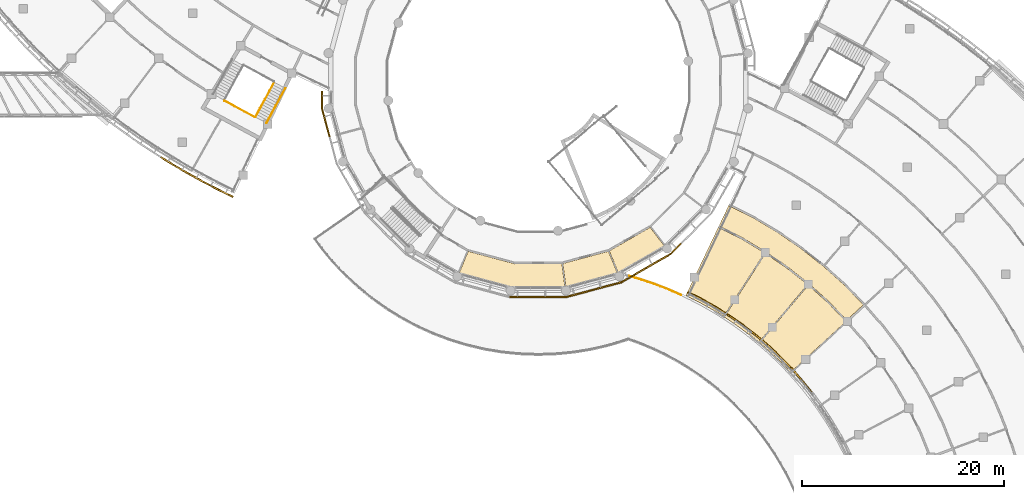
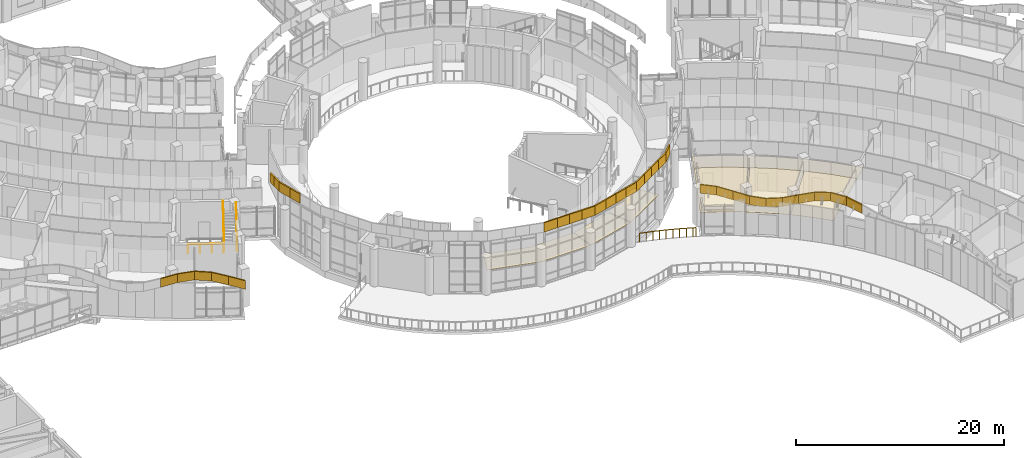
# One storey, part 115 of 136: 39 coverings, 4 railings.
"""IFC4 building model written with IfcOpenShell, lengths in metres."""

import ifcopenshell
import ifcopenshell.guid

model = None  # the IFC model being written
_history = None  # IfcOwnerHistory: only IFC2X3 demands one
_inside = {}  # id of a spatial element -> (the spatial element, [elements in it])
_under = {}  # id of a project, library or spatial element -> (it, [spatial elements below it])
_declared = {}  # id of a project -> (the project, [libraries it declares])
_typed = {}  # id of a type object -> (the type object, [elements of that type])
_made_of = {}  # id of a material, layer set ... -> (it, [elements and type objects made of it])


def new_model(schema):
    """Start an empty IFC model of exactly this schema.

    Asked for "IFC4X3", IfcOpenShell would pick the latest addendum, in which some entities
    have other attributes; the version numbers below select the first issue.
    IFC2X3 requires an IfcOwnerHistory on every rooted entity: one is made here for all.
    """
    global model, _history
    if schema == "IFC4X3":
        model = ifcopenshell.file(schema_version=(4, 3, 0, 0))
    else:
        model = ifcopenshell.file(schema=schema)
    _inside.clear()
    _under.clear()
    _declared.clear()
    _typed.clear()
    _made_of.clear()
    _history = None
    if model.schema == "IFC2X3":
        org = make("IfcOrganization", Name="unknown")
        user = make(
            "IfcPersonAndOrganization",
            ThePerson=make("IfcPerson", FamilyName="unknown"),
            TheOrganization=org,
        )
        app = make(
            "IfcApplication",
            ApplicationDeveloper=org,
            Version="unknown",
            ApplicationFullName="unknown",
            ApplicationIdentifier="unknown",
        )
        _history = make(
            "IfcOwnerHistory",
            OwningUser=user,
            OwningApplication=app,
            ChangeAction="ADDED",
            CreationDate=0,
        )
    return model


def make(cls, **values):
    """One entity of the class cls with the attributes given. An attribute that is None is left unset."""
    return model.create_entity(
        cls, **{name: value for name, value in values.items() if value is not None}
    )


def rooted(cls, **values):
    """An entity with a GlobalId (a new one), such as an element, a storey or a relation."""
    return make(cls, GlobalId=ifcopenshell.guid.new(), OwnerHistory=_history, **values)


def si_unit(unit_type, name, prefix=None):
    """IfcSIUnit, for example si_unit("LENGTHUNIT", "METRE", prefix="MILLI")."""
    return make("IfcSIUnit", UnitType=unit_type, Prefix=prefix, Name=name)


def assignment(units):
    """IfcUnitAssignment: the units of a project."""
    return None if units is None else make("IfcUnitAssignment", Units=units)


def point(xyz):
    """IfcCartesianPoint."""
    return None if xyz is None else make("IfcCartesianPoint", Coordinates=xyz)


def direction(xyz):
    """IfcDirection."""
    return None if xyz is None else make("IfcDirection", DirectionRatios=xyz)


def frame(location, z_axis=None, x_axis=None):
    """IfcAxis2Placement3D, a coordinate frame: its origin and axes. An axis left out is left unset."""
    return make(
        "IfcAxis2Placement3D",
        Location=point(location),
        Axis=direction(z_axis),
        RefDirection=direction(x_axis),
    )


def frame_2d(location, x_axis=None):
    """IfcAxis2Placement2D, a coordinate frame in the plane: its origin and x axis."""
    return make(
        "IfcAxis2Placement2D", Location=point(location), RefDirection=direction(x_axis)
    )


def origin():
    """The frame at (0, 0, 0) with its axes left unset."""
    return frame((0.0, 0.0, 0.0))


def origin_2d():
    """The frame at (0, 0) in the plane with its x axis left unset."""
    return frame_2d((0.0, 0.0))


def place(relative_to, where):
    """IfcLocalPlacement: puts the frame where relative to a parent placement (None: the world)."""
    return make(
        "IfcLocalPlacement", PlacementRelTo=relative_to, RelativePlacement=where
    )


def context(
    kind, dimensions, precision=None, world=None, true_north=None, identifier=None
):
    """IfcGeometricRepresentationContext, for example the 3D "Model" context."""
    return make(
        "IfcGeometricRepresentationContext",
        ContextIdentifier=identifier,
        ContextType=kind,
        CoordinateSpaceDimension=dimensions,
        Precision=precision,
        WorldCoordinateSystem=world,
        TrueNorth=true_north,
    )


def subcontext(parent, identifier, kind, view, scale=None):
    """IfcGeometricRepresentationSubContext, for example "Body" below "Model"."""
    return make(
        "IfcGeometricRepresentationSubContext",
        ContextIdentifier=identifier,
        ContextType=kind,
        ParentContext=parent,
        TargetScale=scale,
        TargetView=view,
    )


def project(units=None, contexts=None):
    """IfcProject with its units and contexts."""
    return rooted(
        "IfcProject",
        Name="project",
        RepresentationContexts=contexts,
        UnitsInContext=assignment(units),
    )


def spatial(cls, under=None, at=None, **own):
    """A site, building, storey or space (cls), placed at a placement, below another one or the project."""
    s = rooted(cls, ObjectPlacement=at, **own)
    if under is not None:
        _under.setdefault(under.id(), (under, []))[1].append(s)
    return s


def polyline(points):
    """IfcPolyline through the points."""
    return make("IfcPolyline", Points=[point(p) for p in points])


def profile(cls, at=None, kind="AREA", **sizes):
    """A parametric profile (cls). Its sizes go by their IFC names, for example OverallWidth=200.0."""
    return make(cls, ProfileType=kind, Position=at, **sizes)


def circle(**sizes):
    """IfcCircleProfileDef."""
    return profile("IfcCircleProfileDef", **sizes)


def outline(outer, holes=None, kind="AREA"):
    """IfcArbitraryClosedProfileDef: a profile drawn as a closed curve; with holes, ...WithVoids."""
    if holes is None:
        return make("IfcArbitraryClosedProfileDef", ProfileType=kind, OuterCurve=outer)
    return make(
        "IfcArbitraryProfileDefWithVoids",
        ProfileType=kind,
        OuterCurve=outer,
        InnerCurves=holes,
    )


def extrude(swept, where, along, depth):
    """IfcExtrudedAreaSolid: the profile swept, set in the frame where, extruded along a direction by depth."""
    return make(
        "IfcExtrudedAreaSolid",
        SweptArea=swept,
        Position=where,
        ExtrudedDirection=direction(along),
        Depth=depth,
    )


def shape(context_of_items, identifier, shape_type, items):
    """IfcShapeRepresentation: the items that make up one representation, for example the "Body"."""
    return make(
        "IfcShapeRepresentation",
        ContextOfItems=context_of_items,
        RepresentationIdentifier=identifier,
        RepresentationType=shape_type,
        Items=items,
    )


def material(Name=None, Category=None):
    """IfcMaterial."""
    return make("IfcMaterial", Name=Name, Category=Category)


def layer(
    of_material, thickness, ventilated=None, Name=None, Category=None, Priority=None
):
    """IfcMaterialLayer: one layer of a wall or slab, of a material (None: an air gap)."""
    return make(
        "IfcMaterialLayer",
        Material=of_material,
        LayerThickness=thickness,
        IsVentilated=ventilated,
        Name=Name,
        Category=Category,
        Priority=Priority,
    )


def layer_set(layers, Name=None):
    """IfcMaterialLayerSet."""
    return make("IfcMaterialLayerSet", MaterialLayers=layers, LayerSetName=Name)


def made_of(thing, what):
    """Note that an element or type object is made of a material, layer set ...; save() writes the relation."""
    if what is not None:
        _made_of.setdefault(what.id(), (what, []))[1].append(thing)
    return thing


def type_object(cls, material=None, **own):
    """A type object (cls), such as IfcWallType, which elements share."""
    return made_of(rooted(cls, **own), material)


def element(
    cls,
    number,
    at=None,
    inside=None,
    cuts=None,
    type_object=None,
    material=None,
    context=None,
    identifier="Body",
    shape_type=None,
    held_by="IfcProductDefinitionShape",
    body=None,
    shapes=None,
    **own,
):
    """One element of the class cls, such as IfcWall. Its Tag is "e" and its number.

    at: its placement. inside: the storey or other place that contains it. cuts: it is an
    opening in that element (IfcRelVoidsElement). A single representation is given by context,
    identifier, shape_type and body (its items); several are given by shapes. held_by: the class
    of the entity that holds the representations. save() writes the other relations.
    """
    e = rooted(cls, Tag="e%d" % number, ObjectPlacement=at, **own)
    if body is not None:
        shapes = [shape(context, identifier, shape_type, body)]
    if shapes is not None:
        e.Representation = make(held_by, Representations=shapes)
    if inside is not None:
        _inside.setdefault(inside.id(), (inside, []))[1].append(e)
    if cuts is not None:
        rooted(
            "IfcRelVoidsElement", RelatingBuildingElement=cuts, RelatedOpeningElement=e
        )
    if type_object is not None:
        _typed.setdefault(type_object.id(), (type_object, []))[1].append(e)
    return made_of(e, material)


def aggregate(whole, parts):
    """IfcRelAggregates: a whole, such as a stair, and the parts it consists of."""
    return rooted("IfcRelAggregates", RelatingObject=whole, RelatedObjects=parts)


def save(model, path):
    """Write the relations noted so far, then the file.

    IfcRelAggregates (storeys below a building ...), IfcRelContainedInSpatialStructure (elements
    in a storey), IfcRelDefinesByType, IfcRelAssociatesMaterial and IfcRelDeclares: one each for
    every whole, place, type object, material and project.
    """
    for whole, parts in _under.values():
        aggregate(whole, parts)
    for where, things in _inside.values():
        rooted(
            "IfcRelContainedInSpatialStructure",
            RelatedElements=things,
            RelatingStructure=where,
        )
    for kind, things in _typed.values():
        rooted("IfcRelDefinesByType", RelatedObjects=things, RelatingType=kind)
    for what, things in _made_of.values():
        rooted("IfcRelAssociatesMaterial", RelatedObjects=things, RelatingMaterial=what)
    for by, libraries in _declared.values():
        rooted("IfcRelDeclares", RelatingContext=by, RelatedDefinitions=libraries)
    model.write(path)


model = new_model("IFC4")

# Units and contexts
model_context = context("Model", 3, precision=1e-05, world=origin(), true_north=direction((0.0, 1.0)))
body_context = subcontext(model_context, "Body", "Model", "MODEL_VIEW")
ifc_project = project(units=[si_unit("LENGTHUNIT", "METRE"), si_unit("AREAUNIT", "SQUARE_METRE"), si_unit("VOLUMEUNIT", "CUBIC_METRE"), si_unit("PLANEANGLEUNIT", "RADIAN"), si_unit("MASSUNIT", "GRAM", prefix="KILO")], contexts=[model_context])

# Site, building, storey
site_placement = place(None, origin())
site = spatial("IfcSite", under=ifc_project, at=site_placement, CompositionType="ELEMENT")
building_placement = place(site_placement, origin())
building = spatial("IfcBuilding", under=site, at=building_placement, Name="Bougainvillea Quay General Hospital", CompositionType="ELEMENT")
storey_placement = place(building_placement, frame((0.0, 0.0, 5.39990234375)))
storey = spatial("IfcBuildingStorey", under=building, at=storey_placement, Name="L01", CompositionType="ELEMENT", Elevation=5.39990234375)

# Coverings
ifc_material_1 = material(Name="Powder-coated aluminium fascia, white", Category="aluminium")
ifc_layer_1 = layer(ifc_material_1, 0.14990234375)
ifc_layer_set_1 = layer_set([ifc_layer_1], Name="Powder-coated aluminium fascia, white")
covering_type_1 = type_object("IfcCoveringType", Name="Aluminium fascia band white 150x1100", PredefinedType="CLADDING", material=ifc_layer_set_1)
covering_1_placement = place(storey_placement, frame((87.830078125, 72.93994140625, 6.650146484375), z_axis=(0.0, 0.0, 1.0), x_axis=(0.0, -1.0, 0.0)))
element("IfcCovering", 1, at=covering_1_placement, inside=storey, type_object=covering_type_1, Name="Fascia band white e0 1", PredefinedType="CLADDING", context=body_context, shape_type="SweptSolid", body=[
    extrude(outline(polyline([(0.0, 0.0), (0.84033203125, 0.0), (0.84033203125, -0.150146484375), (0.0, -0.150146484375), (0.0, 0.0)])), origin(), (0.0, 0.0, 1.0), 1.10009765625),
])
covering_2_placement = place(storey_placement, frame((87.830078125, 72.099609375, 6.650146484375), z_axis=(0.0, 0.0, 1.0), x_axis=(0.0, -1.0, 0.0)))
element("IfcCovering", 2, at=covering_2_placement, inside=storey, type_object=covering_type_1, Name="Fascia band white e0 2", PredefinedType="CLADDING", context=body_context, shape_type="SweptSolid", body=[
    extrude(outline(polyline([(0.0, 0.0), (0.9130859375, 0.0), (0.932861328125, -0.150146484375), (0.0, -0.150146484375), (0.0, 0.0)])), origin(), (0.0, 0.0, 1.0), 1.10009765625),
])
covering_3_placement = place(storey_placement, frame((87.830078125, 71.1865234375, 6.650146484375), z_axis=(0.0, 0.0, 1.0), x_axis=(0.258905250026, -0.965902723626, 0.0)))
element("IfcCovering", 3, at=covering_3_placement, inside=storey, type_object=covering_type_1, Name="Fascia band white e0 3", PredefinedType="CLADDING", context=body_context, shape_type="SweptSolid", body=[
    extrude(outline(polyline([(0.0, 0.0), (1.4427484812010494, -1.1102230246251565e-16), (1.442696922251136, -0.1501250372529882), (-0.019772609412171165, -0.15014685065487446), (0.0, 0.0)])), origin(), (0.0, 0.0, 1.0), 1.10009765625),
])
covering_4_placement = place(storey_placement, frame((88.20361328125, 69.79296875, 6.650146484375), z_axis=(0.0, 0.0, 1.0), x_axis=(0.258848876884, -0.965917832393, 0.0)))
element("IfcCovering", 4, at=covering_4_placement, inside=storey, type_object=covering_type_1, Name="Fascia band white e0 4", PredefinedType="CLADDING", context=body_context, shape_type="SweptSolid", body=[
    extrude(outline(polyline([(0.0, 0.0), (1.3704379651734342, -5.551115123125783e-17), (1.3703951679276272, -0.15012504000642976), (-4.279724580715655e-05, -0.15012504000642976), (0.0, 0.0)])), origin(), (0.0, 0.0, 1.0), 1.10009765625),
])
covering_5_placement = place(storey_placement, frame((106.386474609375, 52.6298828125, 6.650146484375), z_axis=(0.0, 0.0, 1.0), x_axis=(1.0, 0.0, 0.0)))
element("IfcCovering", 5, at=covering_5_placement, inside=storey, type_object=covering_type_1, Name="Fascia band white e0 23", PredefinedType="CLADDING", context=body_context, shape_type="SweptSolid", body=[
    extrude(outline(polyline([(0.0, 0.0), (1.443115234375, 0.0), (1.443115234375, -0.14990234375), (-0.01953125, -0.14990234375), (0.0, 0.0)])), origin(), (0.0, 0.0, 1.0), 1.10009765625),
])
covering_6_placement = place(storey_placement, frame((107.82958984375, 52.6298828125, 6.650146484375), z_axis=(0.0, 0.0, 1.0), x_axis=(1.0, 0.0, 0.0)))
element("IfcCovering", 6, at=covering_6_placement, inside=storey, type_object=covering_type_1, Name="Fascia band white e0 24", PredefinedType="CLADDING", context=body_context, shape_type="SweptSolid", body=[
    extrude(outline(polyline([(0.0, 0.0), (1.370361328125, 0.0), (1.370361328125, -0.14990234375), (0.0, -0.14990234375), (0.0, 0.0)])), origin(), (0.0, 0.0, 1.0), 1.10009765625),
])
covering_7_placement = place(storey_placement, frame((109.199951171875, 52.6298828125, 6.650146484375), z_axis=(0.0, 0.0, 1.0), x_axis=(1.0, 0.0, 0.0)))
element("IfcCovering", 7, at=covering_7_placement, inside=storey, type_object=covering_type_1, Name="Fascia band white e0 25", PredefinedType="CLADDING", context=body_context, shape_type="SweptSolid", body=[
    extrude(outline(polyline([(0.0, 0.0), (1.37060546875, 0.0), (1.37060546875, -0.14990234375), (0.0, -0.14990234375), (0.0, 0.0)])), origin(), (0.0, 0.0, 1.0), 1.10009765625),
])
covering_8_placement = place(storey_placement, frame((110.570556640625, 52.6298828125, 6.650146484375), z_axis=(0.0, 0.0, 1.0), x_axis=(1.0, 0.0, 0.0)))
element("IfcCovering", 8, at=covering_8_placement, inside=storey, type_object=covering_type_1, Name="Fascia band white e0 26", PredefinedType="CLADDING", context=body_context, shape_type="SweptSolid", body=[
    extrude(outline(polyline([(0.0, 0.0), (1.44287109375, 0.0), (1.462646484375, -0.14990234375), (0.0, -0.14990234375), (0.0, 0.0)])), origin(), (0.0, 0.0, 1.0), 1.10009765625),
])
covering_9_placement = place(storey_placement, frame((112.013427734375, 52.6298828125, 6.650146484375), z_axis=(0.0, 0.0, 1.0), x_axis=(0.96591406393, 0.258862938836, 0.0)))
element("IfcCovering", 9, at=covering_9_placement, inside=storey, type_object=covering_type_1, Name="Fascia band white e0 27", PredefinedType="CLADDING", context=body_context, shape_type="SweptSolid", body=[
    extrude(outline(polyline([(0.0, 0.0), (1.4429842986801122, -5.551115123125783e-17), (1.4430025148508425, -0.14988922050420814), (-0.01970283331708037, -0.14991189777797442), (0.0, 0.0)])), origin(), (0.0, 0.0, 1.0), 1.10009765625),
])
for number, where, z_axis, x_axis, name in (
    (10, (113.4072265625, 53.00341796875, 6.650146484375), (0.0, 0.0, 1.0), (0.965917832393, 0.258848876884, 0.0), "Fascia band white e0 28"),
    (11, (114.73095703125, 53.358154296875, 6.650146484375), (0.0, 0.0, 1.0), (0.965917832393, 0.258848876884, 0.0), "Fascia band white e0 29"),
):
    element("IfcCovering", number, at=place(storey_placement, frame(where, z_axis=z_axis, x_axis=x_axis)), inside=storey, type_object=covering_type_1, Name=name, PredefinedType="CLADDING", context=body_context, shape_type="SweptSolid", body=[
        extrude(outline(polyline([(0.0, 0.0), (1.3704379651734342, -5.551115123125783e-17), (1.3704583634542102, -0.1498892202231306), (2.039828077596978e-05, -0.14988922022313056), (0.0, 0.0)])), origin(), (0.0, 0.0, 1.0), 1.10009765625),
    ])
covering_10_placement = place(storey_placement, frame((116.0546875, 53.712890625, 6.650146484375), z_axis=(0.0, 0.0, 1.0), x_axis=(0.965902723626, 0.258905250026, 0.0)))
element("IfcCovering", 12, at=covering_10_placement, inside=storey, type_object=covering_type_1, Name="Fascia band white e0 30", PredefinedType="CLADDING", context=body_context, shape_type="SweptSolid", body=[
    extrude(outline(polyline([(0.0, 0.0), (1.4427484812010494, -1.1102230246251565e-16), (1.462481182002951, -0.14986740775646643), (1.1650339643856644e-05, -0.14988922115835274), (0.0, 0.0)])), origin(), (0.0, 0.0, 1.0), 1.10009765625),
])
covering_11_placement = place(storey_placement, frame((117.4482421875, 54.08642578125, 6.650146484375), z_axis=(0.0, 0.0, 1.0), x_axis=(0.866058810152, 0.49994213401, 0.0)))
element("IfcCovering", 13, at=covering_11_placement, inside=storey, type_object=covering_type_1, Name="Fascia band white e0 31", PredefinedType="CLADDING", context=body_context, shape_type="SweptSolid", body=[
    extrude(outline(polyline([(0.0, 0.0), (1.4430380994058942, 0.0), (1.443016331686934, -0.14995740286665526), (-0.019704824865206458, -0.14987107548026693), (0.0, 0.0)])), origin(), (0.0, 0.0, 1.0), 1.10009765625),
])
for number, where, z_axis, x_axis, name in (
    (14, (118.697998046875, 54.807861328125, 6.650146484375), (0.0, 0.0, 1.0), (0.866031343357, 0.499989712218, 0.0), "Fascia band white e0 32"),
    (15, (119.885009765625, 55.4931640625, 6.650146484375), (0.0, 0.0, 1.0), (0.866031343357, 0.499989712218, 0.0), "Fascia band white e0 33"),
):
    element("IfcCovering", number, at=place(storey_placement, frame(where, z_axis=z_axis, x_axis=x_axis)), inside=storey, type_object=covering_type_1, Name=name, PredefinedType="CLADDING", context=body_context, shape_type="SweptSolid", body=[
        extrude(outline(polyline([(0.0, 0.0), (1.3706336703115394, 0.0), (1.3706036643327093, -0.14995740144450087), (-3.0005978829975022e-05, -0.14995740144450084), (0.0, 0.0)])), origin(), (0.0, 0.0, 1.0), 1.10009765625),
    ])
covering_12_placement = place(storey_placement, frame((121.072021484375, 56.178466796875, 6.650146484375), z_axis=(0.0, 0.0, 1.0), x_axis=(0.866058810152, 0.49994213401, 0.0)))
element("IfcCovering", 16, at=covering_12_placement, inside=storey, type_object=covering_type_1, Name="Fascia band white e0 34", PredefinedType="CLADDING", context=body_context, shape_type="SweptSolid", body=[
    extrude(outline(polyline([(0.0, 0.0), (1.4430380994058942, 0.0), (1.4626993888331803, -0.15004373025304363), (-2.176771896013341e-05, -0.14995740286665532), (0.0, 0.0)])), origin(), (0.0, 0.0, 1.0), 1.10009765625),
])
covering_13_placement = place(storey_placement, frame((122.32177734375, 56.89990234375, 6.650146484375), z_axis=(0.0, 0.0, 1.0), x_axis=(0.707022163611, 0.707191388638, 0.0)))
element("IfcCovering", 17, at=covering_13_placement, inside=storey, type_object=covering_type_1, Name="Fascia band white e0 35", PredefinedType="CLADDING", context=body_context, shape_type="SweptSolid", body=[
    extrude(outline(polyline([(0.0, 0.0), (1.4426980987993736, -1.1102230246251565e-16), (1.4426801269031753, -0.15019113653028116), (-0.019870802619285935, -0.15001612744454187), (0.0, 0.0)])), origin(), (0.0, 0.0, 1.0), 1.10009765625),
])
ifc_material_2 = material(Name="Powder-coated aluminium fascia, yellow", Category="aluminium")
ifc_layer_2 = layer(ifc_material_2, 0.14990234375)
ifc_layer_set_2 = layer_set([ifc_layer_2], Name="Powder-coated aluminium fascia, yellow")
covering_type_2 = type_object("IfcCoveringType", Name="Aluminium wave fascia ribbon yellow 150x1000", PredefinedType="CLADDING", material=ifc_layer_set_2)
covering_14_placement = place(storey_placement, frame((71.798095703125, 66.475341796875, 3.894775390625), z_axis=(-0.28829167534, 0.176606159893, 0.941115388365), x_axis=(0.802639178642, -0.491394475486, 0.338085519317)))
element("IfcCovering", 18, at=covering_14_placement, inside=storey, type_object=covering_type_2, Name="Fascia ribbon yellow a01 31", PredefinedType="CLADDING", context=body_context, shape_type="SweptSolid", body=[
    extrude(outline(polyline([(0.0, 0.0), (1.7319232666137623, 7.456600441269057e-17), (1.733788305271522, -0.15009377503636884), (-0.001941440605786225, -0.14995772512208233), (0.0, 0.0)])), origin(), (0.338085519317, -8.6086529e-05, 0.941115388365), 1.0),
])
covering_15_placement = place(storey_placement, frame((73.188232421875, 65.624267578125, 4.480712890625), z_axis=(-0.161687981412, 0.093848997677, 0.982369259648), x_axis=(0.849418392004, -0.493495454168, 0.186950881357)))
element("IfcCovering", 19, at=covering_15_placement, inside=storey, type_object=covering_type_2, Name="Fascia ribbon yellow a01 32", PredefinedType="CLADDING", context=body_context, shape_type="SweptSolid", body=[
    extrude(outline(polyline([(0.0, 0.0), (1.6592994874330294, 6.640738306473715e-18), (1.6611751379399176, -0.1499768435959882), (-0.0017549181058917488, -0.1500935129719164), (0.0, 0.0)])), origin(), (0.186950881357, 7.5219122e-05, 0.982369259648), 1.0),
])
covering_16_placement = place(storey_placement, frame((74.59765625, 64.805419921875, 4.791015625), z_axis=(0.076977445134, -0.041426092631, 0.996171848523), x_axis=(0.872767403039, -0.480245845951, -0.087412743003)))
element("IfcCovering", 20, at=covering_16_placement, inside=storey, type_object=covering_type_2, Name="Fascia ribbon yellow a01 33", PredefinedType="CLADDING", context=body_context, shape_type="SweptSolid", body=[
    extrude(outline(polyline([(0.0, 0.0), (1.636431775706635, 1.0840666472139437e-16), (1.638070070574364, -0.1498506362711417), (-0.0016434670109762735, -0.1499795973843867), (0.0, 0.0)])), origin(), (-0.087412743003, -0.000812754974, 0.996171848523), 1.0),
])
covering_17_placement = place(storey_placement, frame((76.02587890625, 64.01953125, 4.647705078125), z_axis=(0.266386987188, -0.139817704353, 0.953671317911), x_axis=(0.84599442252, -0.440208426139, -0.300848763702)))
element("IfcCovering", 21, at=covering_17_placement, inside=storey, type_object=covering_type_2, Name="Fascia ribbon yellow a01 34", PredefinedType="CLADDING", context=body_context, shape_type="SweptSolid", body=[
    extrude(outline(polyline([(0.0, 0.0), (1.7092614331796046, 1.1167282376600696e-17), (1.7109582872700617, -0.15001216783870605), (-0.0019012015422883322, -0.14984831088340778), (0.0, 0.0)])), origin(), (-0.300848763702, 0.001019201679, 0.953671317911), 1.0),
])
covering_18_placement = place(storey_placement, frame((77.471923828125, 63.26708984375, 4.1328125), z_axis=(0.305769238495, -0.150179027473, 0.940186913596), x_axis=(0.843843358763, -0.414583911801, -0.340659017124)))
element("IfcCovering", 22, at=covering_18_placement, inside=storey, type_object=covering_type_2, Name="Fascia ribbon yellow a01 35", PredefinedType="CLADDING", context=body_context, shape_type="SweptSolid", body=[
    extrude(outline(polyline([(0.0, 0.0), (1.7301224818382654, -4.575333167888829e-17), (1.730062468453959, -0.1499114741705841), (-0.0020552849414631584, -0.15000770003991049), (0.0, 0.0)])), origin(), (-0.340659017124, -3.9432045e-05, 0.940186913596), 1.0),
])
covering_19_placement = place(storey_placement, frame((123.972412109375, 52.955810546875, 4.79345703125), z_axis=(0.158329857135, -0.080554898538, 0.98409479455), x_axis=(0.878129642141, -0.444219607636, -0.177643665199)))
element("IfcCovering", 23, at=covering_19_placement, inside=storey, type_object=covering_type_2, Name="Fascia ribbon yellow a21 1", PredefinedType="CLADDING", context=body_context, shape_type="SweptSolid", body=[
    extrude(outline(polyline([(0.0, 0.0), (1.610324392887305, -2.6169929938368863e-17), (1.613802385126761, 0.15003528445727563), (-4.649270293771712e-05, 0.14990967604605931), (0.0, 0.0)])), origin(), (-0.177643665199, 0.000404417212, 0.98409479455), 1.0),
])
covering_20_placement = place(storey_placement, frame((125.386474609375, 52.240478515625, 4.506591796875), z_axis=(0.290851139541, -0.164334975007, 0.942549537487), x_axis=(0.820497445642, -0.463878841126, -0.334066404253)))
element("IfcCovering", 24, at=covering_20_placement, inside=storey, type_object=covering_type_2, Name="Fascia ribbon yellow a21 2", PredefinedType="CLADDING", context=body_context, shape_type="SweptSolid", body=[
    extrude(outline(polyline([(0.0, 0.0), (1.6889058014809792, 4.3808544031992414e-17), (1.6925294295764752, 0.14973001494259308), (-0.0036983409852728074, 0.15003420235916082), (0.0, 0.0)])), origin(), (-0.334066404253, -8.3262328e-05, 0.942549537487), 1.0),
])
covering_21_placement = place(storey_placement, frame((126.772216796875, 51.45703125, 3.941162109375), z_axis=(0.268462631395, -0.168563556059, 0.948427194419), x_axis=(0.802954409682, -0.504755767112, -0.316995002388)))
element("IfcCovering", 25, at=covering_21_placement, inside=storey, type_object=covering_type_2, Name="Fascia ribbon yellow a21 3", PredefinedType="CLADDING", context=body_context, shape_type="SweptSolid", body=[
    extrude(outline(polyline([(0.0, 0.0), (1.6783552157051371, 1.3758525568841051e-16), (1.681979925511196, 0.15008087552600488), (-0.0037752879980191612, 0.14972625929453298), (0.0, 0.0)])), origin(), (-0.316995002388, -0.000159210802, 0.948427194419), 1.0),
])
covering_22_placement = place(storey_placement, frame((128.119873046875, 50.60986328125, 3.408203125), z_axis=(0.106318330933, -0.073864370648, 0.991584826052), x_axis=(0.814198600325, -0.565969175441, -0.129458609906)))
element("IfcCovering", 26, at=covering_22_placement, inside=storey, type_object=covering_type_2, Name="Fascia ribbon yellow a21 4", PredefinedType="CLADDING", context=body_context, shape_type="SweptSolid", body=[
    extrude(outline(polyline([(0.0, 0.0), (1.6051136929657799, 4.402707853238402e-17), (1.6085995571060372, 0.14987532645433646), (-0.003561469411892725, 0.15007822443094487), (0.0, 0.0)])), origin(), (-0.129458609906, -3.2630897e-05, 0.991584826052), 1.0),
])
covering_23_placement = place(storey_placement, frame((129.4267578125, 49.701416015625, 3.200439453125), z_axis=(-0.113855252201, 0.087230639379, 0.989660445355), x_axis=(0.785510750678, -0.601997224302, 0.143430131083)))
element("IfcCovering", 27, at=covering_23_placement, inside=storey, type_object=covering_type_2, Name="Fascia ribbon yellow a21 5", PredefinedType="CLADDING", context=body_context, shape_type="SweptSolid", body=[
    extrude(outline(polyline([(0.0, 0.0), (1.608418115286163, -1.438261944437802e-17), (1.611921979747212, 0.14999536266718402), (-0.0035455546314933145, 0.14987392873826547), (0.0, 0.0)])), origin(), (0.143430131083, 1.9940777e-05, 0.989660445355), 1.0),
])
covering_24_placement = place(storey_placement, frame((130.690185546875, 48.733154296875, 3.431884765625), z_axis=(-0.247063167818, 0.207377508258, 0.946548657057), x_axis=(0.72380364238, -0.609969677926, 0.32256050485)))
element("IfcCovering", 28, at=covering_24_placement, inside=storey, type_object=covering_type_2, Name="Fascia ribbon yellow a21 6", PredefinedType="CLADDING", context=body_context, shape_type="SweptSolid", body=[
    extrude(outline(polyline([(0.0, 0.0), (1.6814876015638196, 4.618701254788249e-17), (1.6852998166827184, 0.14990910190620543), (-0.0036136023998004866, 0.14999510789089873), (0.0, 0.0)])), origin(), (0.32256050485, 0.000600445076, 0.946548657057), 1.0),
])
covering_25_placement = place(storey_placement, frame((131.9072265625, 47.70751953125, 3.9755859375), z_axis=(-0.241920683039, 0.224199523127, 0.94403864166), x_axis=(0.692810714991, -0.641266174933, 0.329834816356)))
element("IfcCovering", 29, at=covering_25_placement, inside=storey, type_object=covering_type_2, Name="Fascia ribbon yellow a21 7", PredefinedType="CLADDING", context=body_context, shape_type="SweptSolid", body=[
    extrude(outline(polyline([(0.0, 0.0), (1.6861891776534874, 1.8602198774420042e-16), (1.6899425411672384, 0.14999330117628623), (-0.0035785286986746148, 0.14991489831085042), (0.0, 0.0)])), origin(), (0.329834816356, -0.000192280869, 0.94403864166), 1.0),
])
covering_26_placement = place(storey_placement, frame((133.075439453125, 46.626220703125, 4.53271484375), z_axis=(-0.114437547899, 0.117307812621, 0.986480068085), x_axis=(0.692155467721, -0.702897081318, 0.163879533736)))
element("IfcCovering", 30, at=covering_26_placement, inside=storey, type_object=covering_type_2, Name="Fascia ribbon yellow a21 8", PredefinedType="CLADDING", context=body_context, shape_type="SweptSolid", body=[
    extrude(outline(polyline([(0.0, 0.0), (1.6137091405435795, 5.908901840045999e-17), (1.6170786673756175, 0.14987599371325872), (-0.0034733181830385127, 0.14999686044437283), (0.0, 0.0)])), origin(), (0.163879533736, -0.000757425501, 0.986480068085), 1.0),
])
covering_27_placement = place(storey_placement, frame((134.1923828125, 45.491943359375, 4.797119140625), z_axis=(0.072086271357, -0.080261909449, 0.994163766878), x_axis=(0.663981340643, -0.739925926547, -0.107881427976)))
element("IfcCovering", 31, at=covering_27_placement, inside=storey, type_object=covering_type_2, Name="Fascia ribbon yellow a21 9", PredefinedType="CLADDING", context=body_context, shape_type="SweptSolid", body=[
    extrude(outline(polyline([(0.0, 0.0), (1.6009198052594134, 2.1829224896869476e-16), (1.6044355823353933, 0.14973474038508877), (-0.0036437789709308035, 0.14986955014371067), (0.0, 0.0)])), origin(), (-0.107881427976, -4.6090886e-05, 0.994163766878), 1.0),
])
covering_28_placement = place(storey_placement, frame((135.25537109375, 44.307373046875, 4.623779296875), z_axis=(0.195320039776, -0.237835126656, 0.95146441583), x_axis=(0.601819768794, -0.736951933776, -0.30775771833)))
element("IfcCovering", 32, at=covering_28_placement, inside=storey, type_object=covering_type_2, Name="Fascia ribbon yellow a21 10", PredefinedType="CLADDING", context=body_context, shape_type="SweptSolid", body=[
    extrude(outline(polyline([(0.0, 0.0), (1.6729914599697708, -1.3655526362454928e-16), (1.6766178138490067, 0.15008461614274057), (-0.0036198340312538, 0.14973468358168712), (0.0, 0.0)])), origin(), (-0.30775771833, -0.000807600083, 0.95146441583), 1.0),
])

# Railings
ifc_material_3 = material(Name="Stainless steel guard, brushed grade 316", Category="steel")
railing_type_1 = type_object("IfcRailingType", Name="Stainless steel guard 1100", PredefinedType="GUARDRAIL", material=ifc_material_3)
railing_1_placement = place(storey_placement, frame((118.23095703125, 54.623046875, 0.0)))
element("IfcRailing", 33, at=railing_1_placement, inside=storey, type_object=railing_type_1, Name="Guard G00", PredefinedType="GUARDRAIL", context=body_context, shape_type="SweptSolid", body=[
    extrude(circle(Radius=0.02392578125, at=origin_2d()), frame((0.0, 0.0, 1.076171875), z_axis=(0.958298543698, -0.285768964631, 0.0), x_axis=(0.285768964631, 0.958298543698, 0.0)), (0.0, 0.0, 1.0), 1.305419921875),
    extrude(circle(Radius=0.02392578125, at=origin_2d()), frame((1.2509765625, -0.373046875, 1.076171875), z_axis=(0.946930967363, -0.321436997013, 0.0), x_axis=(0.321436997013, 0.946930967363, 0.0)), (0.0, 0.0, 1.0), 1.306396484375),
    extrude(circle(Radius=0.02392578125, at=origin_2d()), frame((2.488037109375, -0.79296875, 1.076171875), z_axis=(0.933653456535, -0.358177641821, 0.0), x_axis=(0.358177641821, 0.933653456535, 0.0)), (0.0, 0.0, 1.0), 1.306640625),
    extrude(circle(Radius=0.02392578125, at=origin_2d()), frame((3.7080078125, -1.260986328125, 1.076171875), z_axis=(0.918786603612, -0.394754578217, 0.0), x_axis=(0.394754578217, 0.918786603612, 0.0)), (0.0, 0.0, 1.0), 1.304931640625),
    extrude(circle(Radius=0.02392578125, at=origin_2d()), frame((4.906982421875, -1.776123046875, 1.076171875), z_axis=(0.903719937775, -0.428124133946, 0.0), x_axis=(0.428124133946, 0.903719937775, 0.0)), (0.0, 0.0, 1.0), 0.27783203125),
    extrude(circle(Radius=0.02099609375, at=origin_2d()), origin(), (0.0, 0.0, 1.0), 1.052001953125),
    extrude(circle(Radius=0.02099609375, at=origin_2d()), frame((0.62548828125, -0.1865234375, 0.0)), (0.0, 0.0, 1.0), 1.052001953125),
    extrude(circle(Radius=0.02099609375, at=origin_2d()), frame((1.2509765625, -0.373046875, 0.0)), (0.0, 0.0, 1.0), 1.052001953125),
    extrude(circle(Radius=0.02099609375, at=origin_2d()), frame((1.86962890625, -0.5830078125, 0.0)), (0.0, 0.0, 1.0), 1.052001953125),
    extrude(circle(Radius=0.02099609375, at=origin_2d()), frame((2.488037109375, -0.79296875, 0.0)), (0.0, 0.0, 1.0), 1.052001953125),
    extrude(circle(Radius=0.02099609375, at=origin_2d()), frame((3.09814453125, -1.02685546875, 0.0)), (0.0, 0.0, 1.0), 1.052001953125),
    extrude(circle(Radius=0.02099609375, at=origin_2d()), frame((3.7080078125, -1.260986328125, 0.0)), (0.0, 0.0, 1.0), 1.052001953125),
    extrude(circle(Radius=0.02099609375, at=origin_2d()), frame((4.3076171875, -1.5185546875, 0.0)), (0.0, 0.0, 1.0), 1.052001953125),
    extrude(circle(Radius=0.02099609375, at=origin_2d()), frame((4.906982421875, -1.776123046875, 0.0)), (0.0, 0.0, 1.0), 1.052001953125),
    extrude(circle(Radius=0.02099609375, at=origin_2d()), frame((5.157958984375, -1.89501953125, 0.0)), (0.0, 0.0, 1.0), 1.052001953125),
])
ifc_material_4 = material(Name="Stainless steel 304 balustrade", Category="steel")
railing_type_2 = type_object("IfcRailingType", Name="Stair guard 1100", PredefinedType="GUARDRAIL", material=ifc_material_4)
railing_2_placement = place(storey_placement, frame((78.055908203125, 72.011474609375, 2.25)))
element("IfcRailing", 34, at=railing_2_placement, inside=storey, type_object=railing_type_2, Name="L01 ST-W1 stair guard 2", PredefinedType="GUARDRAIL", context=body_context, shape_type="SweptSolid", body=[
    extrude(circle(Radius=0.02392578125, at=origin_2d()), frame((0.0, 0.0, 1.076171875), z_axis=(0.879610501028, -0.475694614727, 0.0), x_axis=(0.475694614727, 0.879610501028, 0.0)), (0.0, 0.0, 1.0), 3.421630859375),
    extrude(circle(Radius=0.02099609375, at=origin_2d()), origin(), (0.0, 0.0, 1.0), 1.052001953125),
    extrude(circle(Radius=0.02099609375, at=origin_2d()), frame((1.003173828125, -0.54248046875, 0.0)), (0.0, 0.0, 1.0), 1.052001953125),
    extrude(circle(Radius=0.02099609375, at=origin_2d()), frame((2.006591796875, -1.085205078125, 0.0)), (0.0, 0.0, 1.0), 1.052001953125),
    extrude(circle(Radius=0.02099609375, at=origin_2d()), frame((3.009765625, -1.627685546875, 0.0)), (0.0, 0.0, 1.0), 1.052001953125),
])
railing_3_placement = place(storey_placement, frame((81.13330078125, 70.40380859375, 2.400146484375)))
element("IfcRailing", 35, at=railing_3_placement, inside=storey, type_object=railing_type_2, Name="L01 ST-W1 stair guard 3", PredefinedType="GUARDRAIL", context=body_context, shape_type="SweptSolid", body=[
    extrude(circle(Radius=0.02392578125, at=origin_2d()), frame((0.0, 0.0, 1.076171875), z_axis=(0.419376834955, 0.775344814775, 0.472190097846), x_axis=(-0.879577626518, 0.475755398214, 0.0)), (0.0, 0.0, 1.0), 4.447021484375),
    extrude(circle(Radius=0.02099609375, at=origin_2d()), origin(), (0.0, 0.0, 1.0), 1.052001953125),
    extrude(circle(Radius=0.02099609375, at=origin_2d()), frame((0.46630859375, 0.862060546875, 0.52490234375)), (0.0, 0.0, 1.0), 1.052001953125),
    extrude(circle(Radius=0.02099609375, at=origin_2d()), frame((0.9326171875, 1.72412109375, 1.0498046875)), (0.0, 0.0, 1.0), 1.052001953125),
    extrude(circle(Radius=0.02099609375, at=origin_2d()), frame((1.398681640625, 2.5859375, 1.574951171875)), (0.0, 0.0, 1.0), 1.052001953125),
    extrude(circle(Radius=0.02099609375, at=origin_2d()), frame((1.864990234375, 3.447998046875, 2.099853515625)), (0.0, 0.0, 1.0), 1.052001953125),
])
ifc_material_5 = material(Name="Stainless steel 304 handrail", Category="steel")
railing_type_3 = type_object("IfcRailingType", Name="Stair handrail 900", PredefinedType="HANDRAIL", material=ifc_material_5)
railing_4_placement = place(storey_placement, frame((82.23291015625, 69.809326171875, 2.400146484375)))
element("IfcRailing", 36, at=railing_4_placement, inside=storey, type_object=railing_type_3, Name="L01 ST-W1 stair handrail 2", PredefinedType="HANDRAIL", context=body_context, shape_type="SweptSolid", body=[
    extrude(circle(Radius=0.02392578125, at=origin_2d()), frame((0.0, 0.0, 0.8759765625), z_axis=(0.419331589496, 0.775362665417, 0.472200969004), x_axis=(-0.879603687813, 0.475707212881, 0.0)), (0.0, 0.0, 1.0), 4.447021484375),
    extrude(circle(Radius=0.02099609375, at=origin_2d()), origin(), (0.0, 0.0, 1.0), 0.851806640625),
    extrude(circle(Radius=0.02099609375, at=origin_2d()), frame((0.46630859375, 0.862060546875, 0.52490234375)), (0.0, 0.0, 1.0), 0.851806640625),
    extrude(circle(Radius=0.02099609375, at=origin_2d()), frame((0.932373046875, 1.72412109375, 1.0498046875)), (0.0, 0.0, 1.0), 0.851806640625),
    extrude(circle(Radius=0.02099609375, at=origin_2d()), frame((1.3984375, 2.5859375, 1.574951171875)), (0.0, 0.0, 1.0), 0.851806640625),
    extrude(circle(Radius=0.02099609375, at=origin_2d()), frame((1.86474609375, 3.447998046875, 2.099853515625)), (0.0, 0.0, 1.0), 0.851806640625),
])

# Coverings
ifc_material_6 = material(Name="Mineral fibre ceiling tile")
ifc_layer_3 = layer(ifc_material_6, 0.030029296875)
ifc_layer_set_3 = layer_set([ifc_layer_3], Name="Mineral fibre ceiling tile")
covering_type_3 = type_object("IfcCoveringType", Name="Suspended ceiling mineral fibre tile", PredefinedType="CEILING", material=ifc_layer_set_3)
covering_29_placement = place(storey_placement, frame((0.0, 0.0, 2.7001953125)))
element("IfcCovering", 37, at=covering_29_placement, inside=storey, type_object=covering_type_3, Name="Ceiling Gallery Lounge 01H0122", PredefinedType="CEILING", context=body_context, shape_type="SweptSolid", body=[
    extrude(outline(polyline([(111.890625, 53.179931640625), (111.540283203125, 55.83984375), (111.52587890625, 55.836181640625), (111.521484375, 55.85302734375), (106.87744140625, 55.85302734375), (106.873046875, 55.836181640625), (106.81005859375, 55.85302734375), (106.7451171875, 55.85302734375), (106.7451171875, 55.870361328125), (102.26123046875, 57.07275390625), (102.25244140625, 57.0576171875), (102.23974609375, 57.06494140625), (101.212646484375, 54.5859375), (106.458984375, 53.179931640625), (111.890625, 53.179931640625)])), origin(), (0.0, 0.0, 1.0), 0.02978515625),
])
covering_30_placement = place(storey_placement, frame((0.0, 0.0, 2.7001953125)))
element("IfcCovering", 38, at=covering_30_placement, inside=storey, type_object=covering_type_3, Name="Ceiling Visitors' Pantry 01H0123", PredefinedType="CEILING", context=body_context, shape_type="SweptSolid", body=[
    extrude(outline(polyline([(117.187255859375, 54.5859375), (116.16015625, 57.06494140625), (116.1474609375, 57.0576171875), (116.138916015625, 57.07275390625), (111.654052734375, 55.870361328125), (111.654052734375, 55.85302734375), (111.639404296875, 55.85302734375), (111.98974609375, 53.193115234375), (117.187255859375, 54.5859375)])), origin(), (0.0, 0.0, 1.0), 0.02978515625),
])
covering_31_placement = place(storey_placement, frame((0.0, 0.0, 2.7001953125)))
element("IfcCovering", 39, at=covering_31_placement, inside=storey, type_object=covering_type_3, Name="Ceiling Gallery Lounge 01H0124", PredefinedType="CEILING", context=body_context, shape_type="SweptSolid", body=[
    extrude(outline(polyline([(121.9404296875, 57.314697265625), (120.306396484375, 59.443359375), (120.2958984375, 59.432861328125), (120.28369140625, 59.4453125), (116.262451171875, 57.123779296875), (116.266845703125, 57.10693359375), (116.252685546875, 57.103271484375), (117.27978515625, 54.624267578125), (121.9404296875, 57.314697265625)])), origin(), (0.0, 0.0, 1.0), 0.02978515625),
])
covering_32_placement = place(storey_placement, frame((0.0, 0.0, 2.400146484375)))
element("IfcCovering", 40, at=covering_32_placement, inside=storey, type_object=covering_type_3, Name="Ceiling Clinic Corridor 01E1", PredefinedType="CEILING", context=body_context, shape_type="SweptSolid", body=[
    extrude(outline(polyline([(127.09912109375, 59.527099609375), (127.1328125, 59.593994140625), (129.438720703125, 58.427490234375), (129.44140625, 58.431884765625), (129.503173828125, 58.394775390625), (129.56787109375, 58.362060546875), (129.5654296875, 58.357421875), (131.72021484375, 57.0634765625), (131.722900390625, 57.0673828125), (131.78271484375, 57.026123046875), (131.844970703125, 56.98876953125), (131.842529296875, 56.984619140625), (133.91064453125, 55.5556640625), (133.91357421875, 55.559326171875), (133.970703125, 55.514404296875), (134.0302734375, 55.47314453125), (134.02783203125, 55.46923828125), (136.000244140625, 53.912353515625), (136.00341796875, 53.916015625), (136.057373046875, 53.867431640625), (136.1142578125, 53.822509765625), (136.111328125, 53.81884765625), (137.981201171875, 52.137451171875), (137.985107421875, 52.14111328125), (138.03515625, 52.0888671875), (138.0888671875, 52.04052734375), (138.08544921875, 52.03662109375), (139.807861328125, 50.245849609375), (141.46435546875, 51.767333984375), (139.5908203125, 53.714111328125), (137.507568359375, 55.587646484375), (135.307373046875, 57.32373046875), (133.00244140625, 58.9169921875), (130.599609375, 60.359375), (128.099609375, 61.624267578125), (127.09912109375, 59.527099609375)])), origin(), (0.0, 0.0, 1.0), 0.030029296875),
])
covering_33_placement = place(storey_placement, frame((0.0, 0.0, 2.7001953125)))
element("IfcCovering", 41, at=covering_33_placement, inside=storey, type_object=covering_type_3, Name="Ceiling Pre-admission Assessment Consulting Room 01E111", PredefinedType="CEILING", context=body_context, shape_type="SweptSolid", body=[
    extrude(outline(polyline([(126.702880859375, 51.14892578125), (126.7294921875, 51.19140625), (127.608642578125, 50.6435546875), (131.658447265625, 56.92578125), (129.4306640625, 58.26318359375), (127.066650390625, 59.459228515625), (123.8369140625, 52.68798828125), (124.7939453125, 52.212890625), (125.70703125, 51.72412109375), (126.702880859375, 51.14892578125)])), origin(), (0.0, 0.0, 1.0), 0.02978515625),
])
covering_34_placement = place(storey_placement, frame((0.0, 0.0, 2.7001953125)))
element("IfcCovering", 42, at=covering_34_placement, inside=storey, type_object=covering_type_3, Name="Ceiling Pre-admission Assessment Examination Room 01E112", PredefinedType="CEILING", context=body_context, shape_type="SweptSolid", body=[
    extrude(outline(polyline([(130.090087890625, 48.825927734375), (130.12158203125, 48.86474609375), (131.1044921875, 48.067626953125), (135.92138671875, 53.78369140625), (133.88134765625, 55.3935546875), (131.742431640625, 56.87158203125), (127.665771484375, 50.54736328125), (128.39111328125, 50.06591796875), (129.25, 49.458984375), (130.090087890625, 48.825927734375)])), origin(), (0.0, 0.0, 1.0), 0.02978515625),
])
covering_35_placement = place(storey_placement, frame((0.0, 0.0, 2.7001953125)))
element("IfcCovering", 43, at=covering_35_placement, inside=storey, type_object=covering_type_3, Name="Ceiling Pre-admission Assessment Treatment Room 01E113", PredefinedType="CEILING", context=body_context, shape_type="SweptSolid", body=[
    extrude(outline(polyline([(131.92626953125, 47.356689453125), (131.99951171875, 47.290771484375), (131.99853515625, 47.289794921875), (132.722412109375, 46.61767578125), (132.7236328125, 46.61865234375), (132.794677734375, 46.550537109375), (132.793701171875, 46.549560546875), (133.49560546875, 45.854736328125), (133.496826171875, 45.855712890625), (133.565673828125, 45.785400390625), (133.564697265625, 45.7841796875), (134.244384765625, 45.068115234375), (139.732177734375, 50.1083984375), (137.930908203125, 51.98095703125), (135.997802734375, 53.71923828125), (131.180908203125, 48.00341796875), (131.92529296875, 47.35546875), (131.92626953125, 47.356689453125)])), origin(), (0.0, 0.0, 1.0), 0.02978515625),
])

save(model, "model.ifc")
